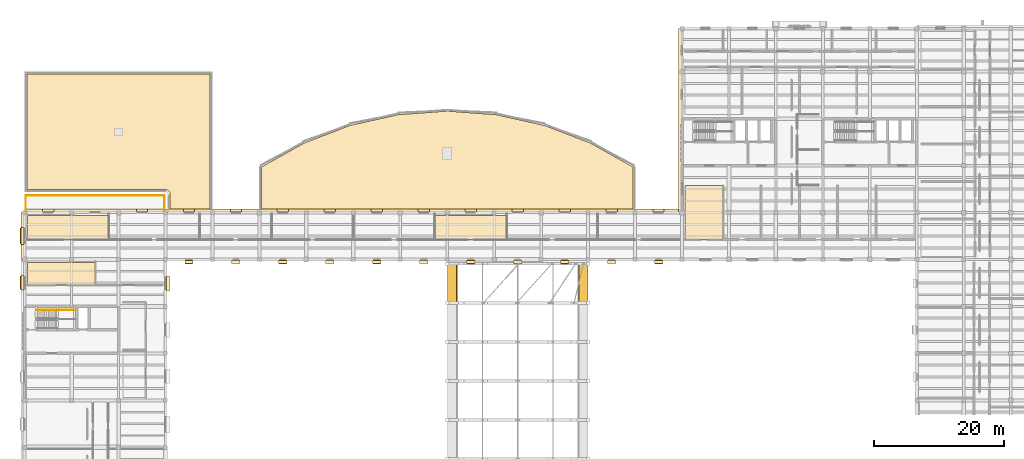
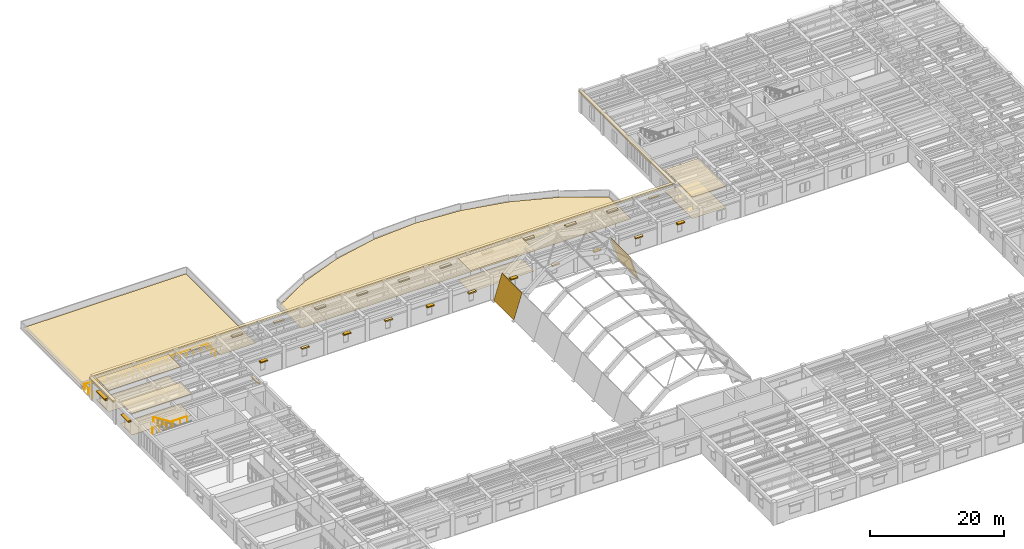
# One storey, part 62 of 66: 42 coverings, 8 shading devices, 5 railings.
"""IFC4 building model written with IfcOpenShell, lengths in metres."""

from ifc_helpers import new_model, si_unit, direction, frame, origin, origin_2d, place, context, subcontext, project, spatial, polyline, rectangle, circle, outline, extrude, material, layer, layer_set, type_object, element, save


model = new_model("IFC4")

# Units and contexts
model_context = context("Model", 3, precision=1e-05, world=origin(), true_north=direction((0.0, 1.0)))
body_context = subcontext(model_context, "Body", "Model", "MODEL_VIEW")
ifc_project = project(units=[si_unit("LENGTHUNIT", "METRE"), si_unit("AREAUNIT", "SQUARE_METRE"), si_unit("VOLUMEUNIT", "CUBIC_METRE"), si_unit("PLANEANGLEUNIT", "RADIAN"), si_unit("MASSUNIT", "GRAM", prefix="KILO")], contexts=[model_context])

# Site, building, storey
site_placement = place(None, origin())
site = spatial("IfcSite", under=ifc_project, at=site_placement, CompositionType="ELEMENT")
building_placement = place(site_placement, origin())
building = spatial("IfcBuilding", under=site, at=building_placement, Name="Mithqara Police Headquarters", CompositionType="ELEMENT")
storey_placement = place(building_placement, frame((0.0, 0.0, 9.60009765625)))
storey = spatial("IfcBuildingStorey", under=building, at=storey_placement, Name="L02", CompositionType="ELEMENT", Elevation=9.60009765625)

# Coverings
ifc_material_1 = material(Name="Acoustic mineral-fibre ceiling tile", Category="gypsum")
ifc_layer_1 = layer(ifc_material_1, 0.02490234375, Name="Acoustic mineral-fibre ceiling tile")
ifc_layer_set_1 = layer_set([ifc_layer_1], Name="Acoustic mineral-fibre ceiling tile")
covering_type_1 = type_object("IfcCoveringType", Name="ACOUSTIC CEILING TILE", PredefinedType="CEILING", material=ifc_layer_set_1)
covering_1_placement = place(storey_placement, frame((0.0, 0.0, 3.914794921875)))
element("IfcCovering", 1, at=covering_1_placement, inside=storey, type_object=covering_type_1, Name="Incident Briefing Room Acoustic Ceiling", PredefinedType="CEILING", context=body_context, shape_type="SweptSolid", body=[
    extrude(outline(polyline([(109.0400390625, 81.659912109375), (114.860107421875, 81.659912109375), (114.860107421875, 89.97998046875), (109.0400390625, 89.97998046875), (109.0400390625, 81.659912109375)])), origin(), (0.0, 0.0, 1.0), 0.025146484375),
])
covering_2_placement = place(storey_placement, frame((0.0, 0.0, 3.914794921875)))
element("IfcCovering", 2, at=covering_2_placement, inside=storey, type_object=covering_type_1, Name="Regional Operations Coordination Suite Acoustic Ceiling", PredefinedType="CEILING", context=body_context, shape_type="SweptSolid", body=[
    extrude(outline(polyline([(8.239990234375, 81.659912109375), (20.695068359375, 81.659912109375), (20.695068359375, 85.360107421875), (8.239990234375, 85.360107421875), (8.239990234375, 81.659912109375)])), origin(), (0.0, 0.0, 1.0), 0.025146484375),
])
covering_3_placement = place(storey_placement, frame((0.0, 0.0, 3.914794921875)))
element("IfcCovering", 3, at=covering_3_placement, inside=storey, type_object=covering_type_1, Name="Briefing Room Acoustic Ceiling", PredefinedType="CEILING", context=body_context, shape_type="SweptSolid", body=[
    extrude(outline(polyline([(70.715087890625, 81.659912109375), (81.719970703125, 81.659912109375), (81.719970703125, 85.360107421875), (70.715087890625, 85.360107421875), (70.715087890625, 81.659912109375)])), origin(), (0.0, 0.0, 1.0), 0.025146484375),
])
covering_4_placement = place(storey_placement, frame((0.0, 0.0, 3.914794921875)))
element("IfcCovering", 4, at=covering_4_placement, inside=storey, type_object=covering_type_1, Name="Traffic Investigation Division Acoustic Ceiling", PredefinedType="CEILING", context=body_context, shape_type="SweptSolid", body=[
    extrude(outline(polyline([(8.239990234375, 74.68994140625), (18.580078125, 74.68994140625), (18.580078125, 78.159912109375), (8.239990234375, 78.159912109375), (8.239990234375, 74.68994140625)])), origin(), (0.0, 0.0, 1.0), 0.025146484375),
])
ifc_material_2 = material(Name="Limestone ashlar masonry, 45 MPa", Category="masonry")
ifc_layer_2 = layer(ifc_material_2, 0.320068359375, Name="Limestone ashlar masonry, 45 MPa")
ifc_layer_set_2 = layer_set([ifc_layer_2], Name="Limestone ashlar masonry, 45 MPa")
covering_type_2 = type_object("IfcCoveringType", Name="CORNICE LIMESTONE", PredefinedType="CLADDING", material=ifc_layer_set_2)
covering_5_placement = place(storey_placement, frame((108.320068359375, 99.89990234375, 3.919921875), z_axis=(0.0, 0.0, 1.0), x_axis=(0.0, 1.0, 0.0)))
element("IfcCovering", 5, at=covering_5_placement, inside=storey, type_object=covering_type_2, Name="L02 Projecting Ottoman Limestone Eaves Cornice 10", PredefinedType="CLADDING", context=body_context, shape_type="SweptSolid", body=[
    extrude(rectangle(XDim=28.199951171875, YDim=0.56005859375, at=origin_2d()), origin(), (0.0, 0.0, 1.0), 0.280029296875),
])
covering_6_placement = place(storey_placement, frame((58.199951171875, 86.080078125, 3.919921875), z_axis=(0.0, 0.0, 1.0), x_axis=(1.0, 0.0, 0.0)))
element("IfcCovering", 6, at=covering_6_placement, inside=storey, type_object=covering_type_2, Name="L02 Projecting Ottoman Limestone Eaves Cornice 11", PredefinedType="CLADDING", context=body_context, shape_type="SweptSolid", body=[
    extrude(rectangle(XDim=100.800048828125, YDim=0.56005859375, at=origin_2d()), origin(), (0.0, 0.0, 1.0), 0.280029296875),
])
covering_7_placement = place(storey_placement, frame((7.52001953125, 82.199951171875, 3.919921875), z_axis=(0.0, 0.0, 1.0), x_axis=(0.0, 1.0, 0.0)))
element("IfcCovering", 7, at=covering_7_placement, inside=storey, type_object=covering_type_2, Name="L02 Projecting Ottoman Limestone Eaves Cornice 12", PredefinedType="CLADDING", context=body_context, shape_type="SweptSolid", body=[
    extrude(rectangle(XDim=7.199951171875, YDim=0.56005859375, at=origin_2d()), origin(), (0.0, 0.0, 1.0), 0.280029296875),
])

# Railings
ifc_material_3 = material(Name="Bronze anodised aluminium 6063-T6", Category="aluminium")
railing_type_1 = type_object("IfcRailingType", Name="GUARD BALUSTRADE1120", PredefinedType="BALUSTRADE", material=ifc_material_3)
railing_1_placement = place(storey_placement, frame((7.97998046875, 88.419921875, 0.0)))
element("IfcRailing", 8, at=railing_1_placement, inside=storey, type_object=railing_type_1, Name="L02 Terrace Balustrade TER-L02-NW-N", PredefinedType="BALUSTRADE", context=body_context, shape_type="SweptSolid", body=[
    extrude(circle(Radius=0.02392578125, at=origin_2d()), frame((0.0, 0.0, 1.09619140625), z_axis=(1.0, 0.0, 0.0), x_axis=(0.0, 1.0, 0.0)), (0.0, 0.0, 1.0), 21.239990234375),
    extrude(circle(Radius=0.02099609375, at=origin_2d()), origin(), (0.0, 0.0, 1.0), 1.072021484375),
    extrude(circle(Radius=0.02099609375, at=origin_2d()), frame((1.179931640625, 0.0, 0.0)), (0.0, 0.0, 1.0), 1.072021484375),
    extrude(circle(Radius=0.02099609375, at=origin_2d()), frame((2.360107421875, 0.0, 0.0)), (0.0, 0.0, 1.0), 1.072021484375),
    extrude(circle(Radius=0.02099609375, at=origin_2d()), frame((3.5400390625, 0.0, 0.0)), (0.0, 0.0, 1.0), 1.072021484375),
    extrude(circle(Radius=0.02099609375, at=origin_2d()), frame((4.719970703125, 0.0, 0.0)), (0.0, 0.0, 1.0), 1.072021484375),
    extrude(circle(Radius=0.02099609375, at=origin_2d()), frame((5.89990234375, 0.0, 0.0)), (0.0, 0.0, 1.0), 1.072021484375),
    extrude(circle(Radius=0.02099609375, at=origin_2d()), frame((7.080078125, 0.0, 0.0)), (0.0, 0.0, 1.0), 1.072021484375),
    extrude(circle(Radius=0.02099609375, at=origin_2d()), frame((8.260009765625, 0.0, 0.0)), (0.0, 0.0, 1.0), 1.072021484375),
    extrude(circle(Radius=0.02099609375, at=origin_2d()), frame((9.43994140625, 0.0, 0.0)), (0.0, 0.0, 1.0), 1.072021484375),
    extrude(circle(Radius=0.02099609375, at=origin_2d()), frame((10.6201171875, 0.0, 0.0)), (0.0, 0.0, 1.0), 1.072021484375),
    extrude(circle(Radius=0.02099609375, at=origin_2d()), frame((11.800048828125, 0.0, 0.0)), (0.0, 0.0, 1.0), 1.072021484375),
    extrude(circle(Radius=0.02099609375, at=origin_2d()), frame((12.97998046875, 0.0, 0.0)), (0.0, 0.0, 1.0), 1.072021484375),
    extrude(circle(Radius=0.02099609375, at=origin_2d()), frame((14.159912109375, 0.0, 0.0)), (0.0, 0.0, 1.0), 1.072021484375),
    extrude(circle(Radius=0.02099609375, at=origin_2d()), frame((15.340087890625, 0.0, 0.0)), (0.0, 0.0, 1.0), 1.072021484375),
    extrude(circle(Radius=0.02099609375, at=origin_2d()), frame((16.52001953125, 0.0, 0.0)), (0.0, 0.0, 1.0), 1.072021484375),
    extrude(circle(Radius=0.02099609375, at=origin_2d()), frame((17.699951171875, 0.0, 0.0)), (0.0, 0.0, 1.0), 1.072021484375),
    extrude(circle(Radius=0.02099609375, at=origin_2d()), frame((18.8798828125, 0.0, 0.0)), (0.0, 0.0, 1.0), 1.072021484375),
    extrude(circle(Radius=0.02099609375, at=origin_2d()), frame((20.06005859375, 0.0, 0.0)), (0.0, 0.0, 1.0), 1.072021484375),
    extrude(circle(Radius=0.02099609375, at=origin_2d()), frame((21.239990234375, 0.0, 0.0)), (0.0, 0.0, 1.0), 1.072021484375),
])
for number, where, name in (
    (9, (7.97998046875, 86.0400390625, 0.0), "L02 Terrace Balustrade TER-L02-NW-W"),
    (10, (29.219970703125, 86.0400390625, 0.0), "L02 Terrace Balustrade TER-L02-NW-E"),
):
    element("IfcRailing", number, at=place(storey_placement, frame(where)), inside=storey, type_object=railing_type_1, Name=name, PredefinedType="BALUSTRADE", context=body_context, shape_type="SweptSolid", body=[
        extrude(circle(Radius=0.02392578125, at=origin_2d()), frame((0.0, 0.0, 1.09619140625), z_axis=(0.0, 1.0, 0.0), x_axis=(-1.0, 0.0, 0.0)), (0.0, 0.0, 1.0), 2.320068359375),
        extrude(circle(Radius=0.02099609375, at=origin_2d()), origin(), (0.0, 0.0, 1.0), 1.072021484375),
        extrude(circle(Radius=0.02099609375, at=origin_2d()), frame((0.0, 1.16015625, 0.0)), (0.0, 0.0, 1.0), 1.072021484375),
        extrude(circle(Radius=0.02099609375, at=origin_2d()), frame((0.0, 2.320068359375, 0.0)), (0.0, 0.0, 1.0), 1.072021484375),
    ])
ifc_material_4 = material(Name="Steel S355JR", Category="steel")
railing_type_2 = type_object("IfcRailingType", Name="HANDRAIL 920", PredefinedType="HANDRAIL", material=ifc_material_4)
railing_2_placement = place(storey_placement, frame((12.830078125, 70.85009765625, 2.27490234375)))
element("IfcRailing", 11, at=railing_2_placement, inside=storey, type_object=railing_type_2, Name="L02 ST-03 stair handrail 2", PredefinedType="HANDRAIL", context=body_context, shape_type="SweptSolid", body=[
    extrude(circle(Radius=0.02392578125, at=origin_2d()), frame((0.0, 0.0, 0.8759765625), z_axis=(-0.847998304005, 0.0, 0.529998940003), x_axis=(0.0, -1.0, 0.0)), (0.0, 0.0, 1.0), 3.632080078125),
    extrude(circle(Radius=0.02099609375, at=origin_2d()), origin(), (0.0, 0.0, 1.0), 0.851806640625),
    extrude(circle(Radius=0.02099609375, at=origin_2d()), frame((-0.77001953125, 0.0, 0.481201171875)), (0.0, 0.0, 1.0), 0.851806640625),
    extrude(circle(Radius=0.02099609375, at=origin_2d()), frame((-1.5400390625, 0.0, 0.96240234375)), (0.0, 0.0, 1.0), 0.851806640625),
    extrude(circle(Radius=0.02099609375, at=origin_2d()), frame((-2.31005859375, 0.0, 1.44384765625)), (0.0, 0.0, 1.0), 0.851806640625),
    extrude(circle(Radius=0.02099609375, at=origin_2d()), frame((-3.080078125, 0.0, 1.925048828125)), (0.0, 0.0, 1.0), 0.851806640625),
])

# Shading devices
shading_device_type = type_object("IfcShadingDeviceType", Name="SOLAR LOUVRE BRONZE", PredefinedType="JALOUSIE", material=ifc_material_3)
shading_device_1_placement = place(storey_placement, frame((7.389892578125, 82.199951171875, 3.08984375), z_axis=(0.0, 0.0, 1.0), x_axis=(0.0, 1.0, 0.0)))
element("IfcShadingDevice", 12, at=shading_device_1_placement, inside=storey, type_object=shading_device_type, Name="L02 Window Solar Louvre Hood 13.1", PredefinedType="JALOUSIE", context=body_context, shape_type="SweptSolid", body=[
    extrude(rectangle(XDim=2.5, YDim=0.60009765625, at=origin_2d()), origin(), (0.0, 0.0, 1.0), 0.10009765625),
])
shading_device_2_placement = place(storey_placement, frame((7.389892578125, 75.014892578125, 3.27978515625), z_axis=(0.0, 0.0, 1.0), x_axis=(0.0, 1.0, 0.0)))
element("IfcShadingDevice", 13, at=shading_device_2_placement, inside=storey, type_object=shading_device_type, Name="L02 Window Solar Louvre Hood 14.1", PredefinedType="JALOUSIE", context=body_context, shape_type="SweptSolid", body=[
    extrude(rectangle(XDim=2.10009765625, YDim=0.60009765625, at=origin_2d()), origin(), (0.0, 0.0, 1.0), 0.10009765625),
])
for number, where, z_axis, x_axis, name in (
    (14, (33.0, 78.18994140625, 2.829833984375), (0.0, 0.0, 1.0), (1.0, 0.0, 0.0), "L02 Window Solar Louvre Hood 3.1"),
    (15, (47.39990234375, 78.18994140625, 2.829833984375), (0.0, 0.0, 1.0), (1.0, 0.0, 0.0), "L02 Window Solar Louvre Hood 3.3"),
    (16, (61.800048828125, 78.18994140625, 2.829833984375), (0.0, 0.0, 1.0), (1.0, 0.0, 0.0), "L02 Window Solar Louvre Hood 3.5"),
    (17, (76.199951171875, 78.18994140625, 2.829833984375), (0.0, 0.0, 1.0), (1.0, 0.0, 0.0), "L02 Window Solar Louvre Hood 3.7"),
    (18, (90.60009765625, 78.18994140625, 2.829833984375), (0.0, 0.0, 1.0), (1.0, 0.0, 0.0), "L02 Window Solar Louvre Hood 3.9"),
    (19, (105.0, 78.18994140625, 2.829833984375), (0.0, 0.0, 1.0), (1.0, 0.0, 0.0), "L02 Window Solar Louvre Hood 3.11"),
):
    element("IfcShadingDevice", number, at=place(storey_placement, frame(where, z_axis=z_axis, x_axis=x_axis)), inside=storey, type_object=shading_device_type, Name=name, PredefinedType="JALOUSIE", context=body_context, shape_type="SweptSolid", body=[
        extrude(rectangle(XDim=1.14990234375, YDim=0.60009765625, at=origin_2d()), origin(), (0.0, 0.0, 1.0), 0.10009765625),
    ])

# Railing
railing_type_3 = type_object("IfcRailingType", Name="STAIR GUARD 1120", PredefinedType="GUARDRAIL", material=ifc_material_4)
railing_3_placement = place(storey_placement, frame((9.60009765625, 70.8798828125, 2.099853515625)))
element("IfcRailing", 20, at=railing_3_placement, inside=storey, type_object=railing_type_3, Name="L02 ST-03 Half-Landing Guard OUT", PredefinedType="GUARDRAIL", context=body_context, shape_type="SweptSolid", body=[
    extrude(circle(Radius=0.02392578125, at=origin_2d()), frame((0.0, 0.0, 1.09619140625), z_axis=(1.0, 0.0, 0.0), x_axis=(0.0, 1.0, 0.0)), (0.0, 0.0, 1.0), 5.97998046875),
    extrude(circle(Radius=0.02099609375, at=origin_2d()), origin(), (0.0, 0.0, 1.0), 1.072021484375),
    extrude(circle(Radius=0.02099609375, at=origin_2d()), frame((1.196044921875, 0.0, 0.0)), (0.0, 0.0, 1.0), 1.072021484375),
    extrude(circle(Radius=0.02099609375, at=origin_2d()), frame((2.39208984375, 0.0, 0.0)), (0.0, 0.0, 1.0), 1.072021484375),
    extrude(circle(Radius=0.02099609375, at=origin_2d()), frame((3.587890625, 0.0, 0.0)), (0.0, 0.0, 1.0), 1.072021484375),
    extrude(circle(Radius=0.02099609375, at=origin_2d()), frame((4.783935546875, 0.0, 0.0)), (0.0, 0.0, 1.0), 1.072021484375),
    extrude(circle(Radius=0.02099609375, at=origin_2d()), frame((5.97998046875, 0.0, 0.0)), (0.0, 0.0, 1.0), 1.072021484375),
])

# Coverings
ifc_material_5 = material(Name="Standing seam zinc-aluminium roofing", Category="aluminium")
ifc_layer_3 = layer(ifc_material_5, 0.0400390625, Name="Standing seam zinc-aluminium roofing")
ifc_layer_set_3 = layer_set([ifc_layer_3], Name="Standing seam zinc-aluminium roofing")
covering_type_3 = type_object("IfcCoveringType", Name="STANDING SEAM ROOFING", PredefinedType="ROOFING", material=ifc_layer_set_3)
covering_8_placement = place(storey_placement, origin())
element("IfcCovering", 21, at=covering_8_placement, inside=storey, type_object=covering_type_3, Name="L02 Insulated Roof Waterproofing ROOF-L01-00", PredefinedType="ROOFING", context=body_context, shape_type="SweptSolid", body=[
    extrude(outline(polyline([(8.14990234375, 107.050048828125), (36.25, 107.050048828125), (36.25, 86.169921875), (30.10009765625, 86.169921875), (30.10009765625, 88.60009765625), (30.099609375, 88.6171875), (30.097900390625, 88.651611328125), (30.094482421875, 88.685302734375), (30.089599609375, 88.71923828125), (30.082763671875, 88.75390625), (30.07421875, 88.787109375), (30.064697265625, 88.819091796875), (30.052978515625, 88.851318359375), (30.039794921875, 88.883544921875), (30.025146484375, 88.91455078125), (30.008544921875, 88.945556640625), (29.990966796875, 88.974853515625), (29.972412109375, 89.00244140625), (29.9521484375, 89.030029296875), (29.929931640625, 89.056884765625), (29.906982421875, 89.08251953125), (29.882568359375, 89.10693359375), (29.85693359375, 89.1298828125), (29.830078125, 89.152099609375), (29.802490234375, 89.172607421875), (29.77490234375, 89.19091796875), (29.74560546875, 89.20849609375), (29.714599609375, 89.22509765625), (29.68359375, 89.23974609375), (29.6513671875, 89.253173828125), (29.618896484375, 89.2646484375), (29.587158203125, 89.2744140625), (29.553955078125, 89.28271484375), (29.519287109375, 89.28955078125), (29.485107421875, 89.294677734375), (29.45166015625, 89.2978515625), (29.417236328125, 89.299560546875), (29.39990234375, 89.300048828125), (8.14990234375, 89.300048828125), (8.14990234375, 107.050048828125)])), origin(), (0.0, 0.0, 1.0), 0.039794921875),
])
covering_9_placement = place(storey_placement, origin())
element("IfcCovering", 22, at=covering_9_placement, inside=storey, type_object=covering_type_3, Name="L02 Insulated Roof Waterproofing ROOF-SWEPT-ARCADE", PredefinedType="ROOFING", context=body_context, shape_type="SweptSolid", body=[
    extrude(outline(polyline([(44.14990234375, 92.795654296875), (50.58984375, 96.42822265625), (57.658203125, 99.144287109375), (65.048095703125, 100.797607421875), (72.60009765625, 101.352783203125), (80.152099609375, 100.797607421875), (87.541748046875, 99.144287109375), (94.610107421875, 96.42822265625), (101.050048828125, 92.795654296875), (101.050048828125, 86.169921875), (44.14990234375, 86.169921875), (44.14990234375, 92.795654296875)])), origin(), (0.0, 0.0, 1.0), 0.039794921875),
])
for number, where, z_axis, x_axis, name in (
    (23, (72.620361328125, 71.96728515625, 0.104736328125), (-0.953912787202, 0.0, 0.300083978934), (0.300083978934, 0.0, 0.953912787202), "Public Entrance Hall Barrel Vault Shell Strip Bay 7 Facet 1 Standing-Seam Metal Cladding"),
    (24, (92.7734375, 71.96728515625, 4.574951171875), (0.953912787202, 0.0, 0.300083978934), (0.300083978934, 0.0, -0.953912787202), "Public Entrance Hall Barrel Vault Shell Strip Bay 7 Facet 6 Standing-Seam Metal Cladding"),
):
    element("IfcCovering", number, at=place(storey_placement, frame(where, z_axis=z_axis, x_axis=x_axis)), inside=storey, type_object=covering_type_3, Name=name, PredefinedType="ROOFING", context=body_context, shape_type="SweptSolid", body=[
        extrude(outline(polyline([(0.0, 0.0), (4.686188196368434, 0.0), (4.686188196368434, 5.979736328125), (0.0, 5.979736328125), (0.0, 0.0)])), origin(), (0.0, 0.0, -1.0), 0.0400390625),
    ])
ifc_material_6 = material(Name="Polished limestone terrazzo flooring", Category="masonry")
ifc_layer_4 = layer(ifc_material_6, 0.02001953125, Name="Polished limestone terrazzo flooring")
ifc_layer_set_4 = layer_set([ifc_layer_4], Name="Polished limestone terrazzo flooring")
covering_type_4 = type_object("IfcCoveringType", Name="TERRAZZO FLOOR FINISH", PredefinedType="FLOORING", material=ifc_layer_set_4)
covering_10_placement = place(storey_placement, origin())
element("IfcCovering", 25, at=covering_10_placement, inside=storey, type_object=covering_type_4, Name="Incident Briefing Room Terrazzo Floor Finish", PredefinedType="FLOORING", context=body_context, shape_type="SweptSolid", body=[
    extrude(outline(polyline([(109.0400390625, 81.659912109375), (114.860107421875, 81.659912109375), (114.860107421875, 89.97998046875), (109.0400390625, 89.97998046875), (109.0400390625, 81.659912109375)])), origin(), (0.0, 0.0, 1.0), 0.02001953125),
])
covering_11_placement = place(storey_placement, origin())
element("IfcCovering", 26, at=covering_11_placement, inside=storey, type_object=covering_type_4, Name="Regional Operations Coordination Suite Terrazzo Floor Finish", PredefinedType="FLOORING", context=body_context, shape_type="SweptSolid", body=[
    extrude(outline(polyline([(8.239990234375, 81.659912109375), (20.695068359375, 81.659912109375), (20.695068359375, 85.360107421875), (8.239990234375, 85.360107421875), (8.239990234375, 81.659912109375)])), origin(), (0.0, 0.0, 1.0), 0.02001953125),
])
covering_12_placement = place(storey_placement, origin())
element("IfcCovering", 27, at=covering_12_placement, inside=storey, type_object=covering_type_4, Name="Briefing Room Terrazzo Floor Finish", PredefinedType="FLOORING", context=body_context, shape_type="SweptSolid", body=[
    extrude(outline(polyline([(70.715087890625, 81.659912109375), (81.719970703125, 81.659912109375), (81.719970703125, 85.360107421875), (70.715087890625, 85.360107421875), (70.715087890625, 81.659912109375)])), origin(), (0.0, 0.0, 1.0), 0.02001953125),
])
covering_13_placement = place(storey_placement, origin())
element("IfcCovering", 28, at=covering_13_placement, inside=storey, type_object=covering_type_4, Name="Traffic Investigation Division Terrazzo Floor Finish", PredefinedType="FLOORING", context=body_context, shape_type="SweptSolid", body=[
    extrude(outline(polyline([(8.239990234375, 74.68994140625), (18.580078125, 74.68994140625), (18.580078125, 78.159912109375), (8.239990234375, 78.159912109375), (8.239990234375, 74.68994140625)])), origin(), (0.0, 0.0, 1.0), 0.02001953125),
])
ifc_layer_5 = layer(ifc_material_2, 0.239990234375, Name="Limestone ashlar masonry, 45 MPa")
ifc_layer_set_5 = layer_set([ifc_layer_5], Name="Limestone ashlar masonry, 45 MPa")
covering_type_5 = type_object("IfcCoveringType", Name="WINDOW HOOD LIMESTONE", PredefinedType="CLADDING", material=ifc_layer_set_5)
for number, where, z_axis, x_axis, name in (
    (29, (11.39990234375, 86.14990234375, 2.6201171875), (0.0, 0.0, 1.0), (1.0, 0.0, 0.0), "L02 Limestone Window Architrave Hood 12.1"),
    (30, (25.800048828125, 86.14990234375, 2.6201171875), (0.0, 0.0, 1.0), (1.0, 0.0, 0.0), "L02 Limestone Window Architrave Hood 12.3"),
    (31, (33.0, 86.14990234375, 2.6201171875), (0.0, 0.0, 1.0), (1.0, 0.0, 0.0), "L02 Limestone Window Architrave Hood 12.4"),
    (32, (40.199951171875, 86.14990234375, 2.6201171875), (0.0, 0.0, 1.0), (1.0, 0.0, 0.0), "L02 Limestone Window Architrave Hood 12.5"),
    (33, (47.39990234375, 86.14990234375, 2.6201171875), (0.0, 0.0, 1.0), (1.0, 0.0, 0.0), "L02 Limestone Window Architrave Hood 12.6"),
    (34, (54.60009765625, 86.14990234375, 2.6201171875), (0.0, 0.0, 1.0), (1.0, 0.0, 0.0), "L02 Limestone Window Architrave Hood 12.7"),
    (35, (61.800048828125, 86.14990234375, 2.6201171875), (0.0, 0.0, 1.0), (1.0, 0.0, 0.0), "L02 Limestone Window Architrave Hood 12.8"),
    (36, (69.0, 86.14990234375, 2.6201171875), (0.0, 0.0, 1.0), (1.0, 0.0, 0.0), "L02 Limestone Window Architrave Hood 12.9"),
    (37, (76.199951171875, 86.14990234375, 2.6201171875), (0.0, 0.0, 1.0), (1.0, 0.0, 0.0), "L02 Limestone Window Architrave Hood 12.10"),
    (38, (83.39990234375, 86.14990234375, 2.6201171875), (0.0, 0.0, 1.0), (1.0, 0.0, 0.0), "L02 Limestone Window Architrave Hood 12.11"),
    (39, (90.60009765625, 86.14990234375, 2.6201171875), (0.0, 0.0, 1.0), (1.0, 0.0, 0.0), "L02 Limestone Window Architrave Hood 12.12"),
    (40, (97.800048828125, 86.14990234375, 2.6201171875), (0.0, 0.0, 1.0), (1.0, 0.0, 0.0), "L02 Limestone Window Architrave Hood 12.13"),
    (41, (105.0, 86.14990234375, 2.6201171875), (0.0, 0.0, 1.0), (1.0, 0.0, 0.0), "L02 Limestone Window Architrave Hood 12.14"),
):
    element("IfcCovering", number, at=place(storey_placement, frame(where, z_axis=z_axis, x_axis=x_axis)), inside=storey, type_object=covering_type_5, Name=name, PredefinedType="CLADDING", context=body_context, shape_type="SweptSolid", body=[
        extrude(rectangle(XDim=1.739990234375, YDim=0.4599609375, at=origin_2d()), origin(), (0.0, 0.0, 1.0), 0.219970703125),
    ])
covering_14_placement = place(storey_placement, frame((7.449951171875, 82.199951171875, 2.8701171875), z_axis=(0.0, 0.0, 1.0), x_axis=(0.0, 1.0, 0.0)))
element("IfcCovering", 42, at=covering_14_placement, inside=storey, type_object=covering_type_5, Name="L02 Limestone Window Architrave Hood 13.1", PredefinedType="CLADDING", context=body_context, shape_type="SweptSolid", body=[
    extrude(rectangle(XDim=2.639892578125, YDim=0.4599609375, at=origin_2d()), origin(), (0.0, 0.0, 1.0), 0.219970703125),
])
for number, where, z_axis, x_axis, name in (
    (43, (7.449951171875, 75.014892578125, 3.1201171875), (0.0, 0.0, 1.0), (0.0, 1.0, 0.0), "L02 Limestone Window Architrave Hood 14.1"),
    (44, (29.75, 74.919921875, 2.3701171875), (0.0, 0.0, 1.0), (0.0, 1.0, 0.0), "L02 Limestone Window Architrave Hood 2.3"),
):
    element("IfcCovering", number, at=place(storey_placement, frame(where, z_axis=z_axis, x_axis=x_axis)), inside=storey, type_object=covering_type_5, Name=name, PredefinedType="CLADDING", context=body_context, shape_type="SweptSolid", body=[
        extrude(rectangle(XDim=2.239990234375, YDim=0.4599609375, at=origin_2d()), origin(), (0.0, 0.0, 1.0), 0.219970703125),
    ])
for number, where, z_axis, x_axis, name in (
    (45, (33.0, 78.25, 2.6201171875), (0.0, 0.0, 1.0), (1.0, 0.0, 0.0), "L02 Limestone Window Architrave Hood 3.1"),
    (46, (40.199951171875, 78.25, 2.6201171875), (0.0, 0.0, 1.0), (1.0, 0.0, 0.0), "L02 Limestone Window Architrave Hood 3.2"),
    (47, (47.39990234375, 78.25, 2.6201171875), (0.0, 0.0, 1.0), (1.0, 0.0, 0.0), "L02 Limestone Window Architrave Hood 3.3"),
    (48, (54.60009765625, 78.25, 2.6201171875), (0.0, 0.0, 1.0), (1.0, 0.0, 0.0), "L02 Limestone Window Architrave Hood 3.4"),
    (49, (61.800048828125, 78.25, 2.6201171875), (0.0, 0.0, 1.0), (1.0, 0.0, 0.0), "L02 Limestone Window Architrave Hood 3.5"),
    (50, (69.0, 78.25, 2.6201171875), (0.0, 0.0, 1.0), (1.0, 0.0, 0.0), "L02 Limestone Window Architrave Hood 3.6"),
    (51, (76.199951171875, 78.25, 2.6201171875), (0.0, 0.0, 1.0), (1.0, 0.0, 0.0), "L02 Limestone Window Architrave Hood 3.7"),
    (52, (83.39990234375, 78.25, 2.6201171875), (0.0, 0.0, 1.0), (1.0, 0.0, 0.0), "L02 Limestone Window Architrave Hood 3.8"),
    (53, (90.60009765625, 78.25, 2.6201171875), (0.0, 0.0, 1.0), (1.0, 0.0, 0.0), "L02 Limestone Window Architrave Hood 3.9"),
    (54, (97.800048828125, 78.25, 2.6201171875), (0.0, 0.0, 1.0), (1.0, 0.0, 0.0), "L02 Limestone Window Architrave Hood 3.10"),
    (55, (105.0, 78.25, 2.6201171875), (0.0, 0.0, 1.0), (1.0, 0.0, 0.0), "L02 Limestone Window Architrave Hood 3.11"),
):
    element("IfcCovering", number, at=place(storey_placement, frame(where, z_axis=z_axis, x_axis=x_axis)), inside=storey, type_object=covering_type_5, Name=name, PredefinedType="CLADDING", context=body_context, shape_type="SweptSolid", body=[
        extrude(rectangle(XDim=1.2900390625, YDim=0.4599609375, at=origin_2d()), origin(), (0.0, 0.0, 1.0), 0.219970703125),
    ])

save(model, "model.ifc")
